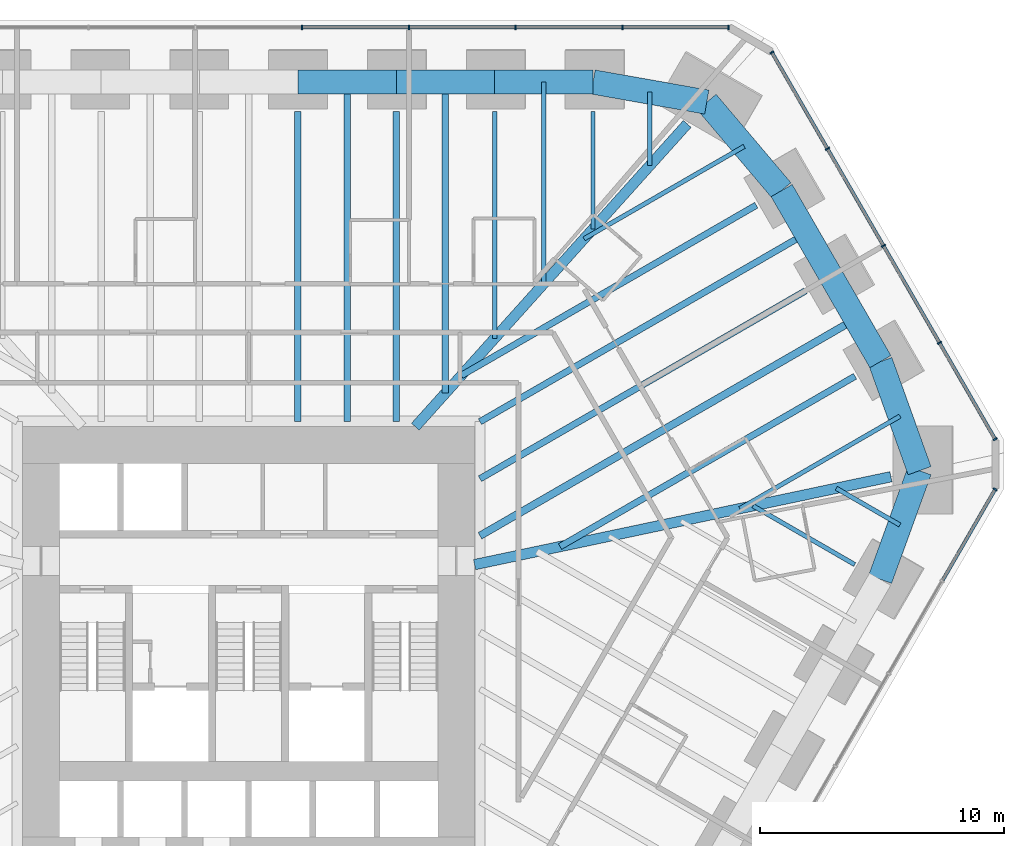
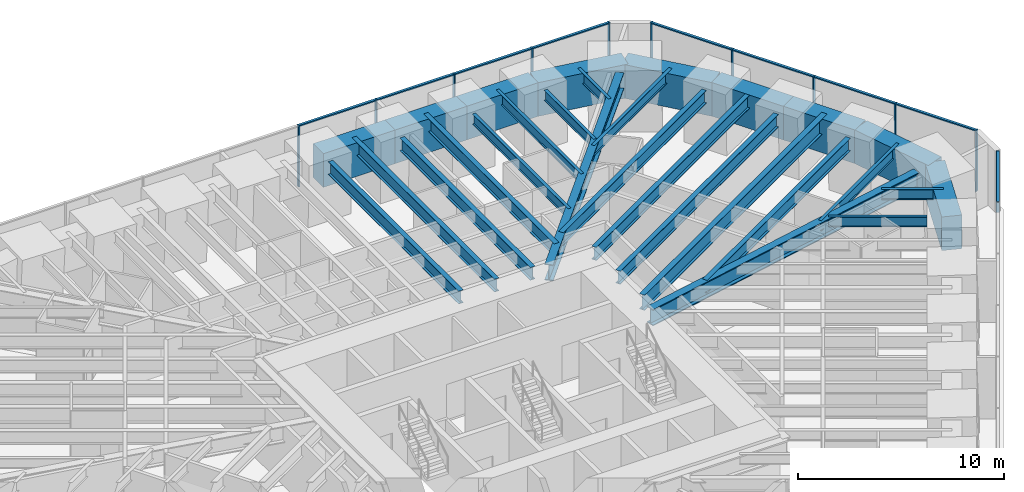
# One storey, part 9 of 17: 28 beams, 20 members, 3 elements without a shape of their own.
"""IFC4 building model written with IfcOpenShell, lengths in metres."""

from ifc_helpers import new_model, si_unit, direction, frame, origin, origin_2d, place, context, subcontext, project, spatial, rectangle, i_section, extrude, material, material_profile, profile_set, type_object, element, aggregate, save


model = new_model("IFC4")

# Units and contexts
model_context = context("Model", 3, precision=1e-05, world=origin(), true_north=direction((0.0, 1.0)))
body_context = subcontext(model_context, "Body", "Model", "MODEL_VIEW")
ifc_project = project(units=[si_unit("LENGTHUNIT", "METRE"), si_unit("AREAUNIT", "SQUARE_METRE"), si_unit("VOLUMEUNIT", "CUBIC_METRE"), si_unit("PLANEANGLEUNIT", "RADIAN"), si_unit("MASSUNIT", "GRAM", prefix="KILO")], contexts=[model_context])

# Site, building, storey
site_placement = place(None, origin())
site = spatial("IfcSite", under=ifc_project, at=site_placement, CompositionType="ELEMENT")
building_placement = place(site_placement, origin())
building = spatial("IfcBuilding", under=site, at=building_placement, Name="Sandreach Pilgrim Tower", CompositionType="ELEMENT")
storey_placement = place(building_placement, frame((0.0, 0.0, 80.0)))
storey = spatial("IfcBuildingStorey", under=building, at=storey_placement, Name="L19", CompositionType="ELEMENT", Elevation=80.0)

# Curtain wall, members
ifc_material_1 = material(Name="Aluminium framed curtain wall", Category="aluminium")
curtain_wall_type = type_object("IfcCurtainWallType", Name="Hostel tower curtain wall", PredefinedType="NOTDEFINED", material=ifc_material_1)
curtain_wall_1_placement = place(storey_placement, origin())
curtain_wall_1 = element("IfcCurtainWall", 1, at=curtain_wall_1_placement, inside=storey, type_object=curtain_wall_type, Name="CW-1 L19 N", PredefinedType="NOTDEFINED")
ifc_material_2 = material(Name="Aluminium extrusion", Category="aluminium")
ifc_material_profile_1 = material_profile(ifc_material_2, rectangle(XDim=0.06494140625, YDim=0.179931640625, at=origin_2d()), Name="CW-1M 65X180")
ifc_profile_set_1 = profile_set([ifc_material_profile_1], Name="Aluminium extrusion")
member_type_1 = type_object("IfcMemberType", Name="CW-1 mullion", PredefinedType="MULLION", material=ifc_profile_set_1)
member_1_placement = place(storey_placement, frame((2.185791015625, 23.94873046875, 0.0), z_axis=(0.0, 0.0, 1.0), x_axis=(1.0, 0.0, 0.0)))
member_1 = element("IfcMember", 2, at=member_1_placement, type_object=member_type_1, Name="CW-1 mullion 6", PredefinedType="MULLION", context=body_context, shape_type="SweptSolid", body=[
    extrude(rectangle(XDim=0.06494140625, YDim=0.179931640625, at=origin_2d()), origin(), (0.0, 0.0, 1.0), 3.639892578125),
])
member_2_placement = place(storey_placement, frame((6.557373046875, 23.94873046875, 0.0), z_axis=(0.0, 0.0, 1.0), x_axis=(1.0, 0.0, 0.0)))
member_2 = element("IfcMember", 3, at=member_2_placement, type_object=member_type_1, Name="CW-1 mullion 7", PredefinedType="MULLION", context=body_context, shape_type="SweptSolid", body=[
    extrude(rectangle(XDim=0.06494140625, YDim=0.179931640625, at=origin_2d()), origin(), (0.0, 0.0, 1.0), 3.639892578125),
])
member_3_placement = place(storey_placement, frame((10.928955078125, 23.94873046875, 0.0), z_axis=(0.0, 0.0, 1.0), x_axis=(1.0, 0.0, 0.0)))
member_3 = element("IfcMember", 4, at=member_3_placement, type_object=member_type_1, Name="CW-1 mullion 8", PredefinedType="MULLION", context=body_context, shape_type="SweptSolid", body=[
    extrude(rectangle(XDim=0.06494140625, YDim=0.179931640625, at=origin_2d()), origin(), (0.0, 0.0, 1.0), 3.639892578125),
])
member_4_placement = place(storey_placement, frame((15.300537109375, 23.94873046875, 0.0), z_axis=(0.0, 0.0, 1.0), x_axis=(1.0, 0.0, 0.0)))
member_4 = element("IfcMember", 5, at=member_4_placement, type_object=member_type_1, Name="CW-1 mullion 9", PredefinedType="MULLION", context=body_context, shape_type="SweptSolid", body=[
    extrude(rectangle(XDim=0.06494140625, YDim=0.179931640625, at=origin_2d()), origin(), (0.0, 0.0, 1.0), 3.639892578125),
])
member_5_placement = place(storey_placement, frame((19.6396484375, 23.94873046875, 0.0), z_axis=(0.0, 0.0, 1.0), x_axis=(1.0, 0.0, 0.0)))
member_5 = element("IfcMember", 6, at=member_5_placement, type_object=member_type_1, Name="CW-1 mullion 10", PredefinedType="MULLION", context=body_context, shape_type="SweptSolid", body=[
    extrude(rectangle(XDim=0.06494140625, YDim=0.179931640625, at=origin_2d()), origin(), (0.0, 0.0, 1.0), 3.639892578125),
])

curtain_wall_2_placement = place(storey_placement, origin())
curtain_wall_2 = element("IfcCurtainWall", 7, at=curtain_wall_2_placement, inside=storey, type_object=curtain_wall_type, Name="CW-1 L19 NE", PredefinedType="NOTDEFINED")
member_6_placement = place(storey_placement, frame((21.42041015625, 22.920654296875, 0.0), z_axis=(0.0, 0.0, 1.0), x_axis=(0.5, -0.866025403784, 0.0)))
member_6 = element("IfcMember", 8, at=member_6_placement, type_object=member_type_1, Name="CW-1 mullion 1", PredefinedType="MULLION", context=body_context, shape_type="SweptSolid", body=[
    extrude(rectangle(XDim=0.06494140625, YDim=0.179931640625, at=origin_2d()), origin(), (0.0, 0.0, 1.0), 3.639892578125),
])
member_7_placement = place(storey_placement, frame((23.697265625, 18.97705078125, 0.0), z_axis=(0.0, 0.0, 1.0), x_axis=(0.5, -0.866025403784, 0.0)))
member_7 = element("IfcMember", 9, at=member_7_placement, type_object=member_type_1, Name="CW-1 mullion 2", PredefinedType="MULLION", context=body_context, shape_type="SweptSolid", body=[
    extrude(rectangle(XDim=0.06494140625, YDim=0.179931640625, at=origin_2d()), origin(), (0.0, 0.0, 1.0), 3.639892578125),
])
member_8_placement = place(storey_placement, frame((25.990234375, 15.00537109375, 0.0), z_axis=(0.0, 0.0, 1.0), x_axis=(0.5, -0.866025403784, 0.0)))
member_8 = element("IfcMember", 10, at=member_8_placement, type_object=member_type_1, Name="CW-1 mullion 3", PredefinedType="MULLION", context=body_context, shape_type="SweptSolid", body=[
    extrude(rectangle(XDim=0.06494140625, YDim=0.179931640625, at=origin_2d()), origin(), (0.0, 0.0, 1.0), 3.639892578125),
])
member_9_placement = place(storey_placement, frame((28.283203125, 11.03369140625, 0.0), z_axis=(0.0, 0.0, 1.0), x_axis=(0.5, -0.866025403784, 0.0)))
member_9 = element("IfcMember", 11, at=member_9_placement, type_object=member_type_1, Name="CW-1 mullion 4", PredefinedType="MULLION", context=body_context, shape_type="SweptSolid", body=[
    extrude(rectangle(XDim=0.06494140625, YDim=0.179931640625, at=origin_2d()), origin(), (0.0, 0.0, 1.0), 3.639892578125),
])
member_10_placement = place(storey_placement, frame((30.56005859375, 7.09033203125, 0.0), z_axis=(0.0, 0.0, 1.0), x_axis=(0.5, -0.866025403784, 0.0)))
member_10 = element("IfcMember", 12, at=member_10_placement, type_object=member_type_1, Name="CW-1 mullion 5", PredefinedType="MULLION", context=body_context, shape_type="SweptSolid", body=[
    extrude(rectangle(XDim=0.06494140625, YDim=0.179931640625, at=origin_2d()), origin(), (0.0, 0.0, 1.0), 3.639892578125),
])

# Curtain wall, member
curtain_wall_3_placement = place(storey_placement, origin())
curtain_wall_3 = element("IfcCurtainWall", 13, at=curtain_wall_3_placement, inside=storey, type_object=curtain_wall_type, Name="CW-1 L19 SE", PredefinedType="NOTDEFINED")
member_11_placement = place(storey_placement, frame((30.56005859375, 5.033935546875, 0.0), z_axis=(0.0, 0.0, 1.0), x_axis=(-0.5, -0.866025403784, 0.0)))
member_11 = element("IfcMember", 14, at=member_11_placement, type_object=member_type_1, Name="CW-1 mullion 1", PredefinedType="MULLION", context=body_context, shape_type="SweptSolid", body=[
    extrude(rectangle(XDim=0.06494140625, YDim=0.179931640625, at=origin_2d()), origin(), (0.0, 0.0, 1.0), 3.639892578125),
])

# Member
ifc_material_3 = material(Name="Aluminium extrusion", Category="aluminium")
ifc_material_profile_2 = material_profile(ifc_material_3, rectangle(XDim=0.139892578125, YDim=0.070068359375, at=origin_2d()), Name="CW-1T 140X70")
ifc_profile_set_2 = profile_set([ifc_material_profile_2], Name="Aluminium extrusion")
member_type_2 = type_object("IfcMemberType", Name="CW-1 transom", PredefinedType="USERDEFINED", material=ifc_profile_set_2)
member_12_placement = place(storey_placement, frame((2.21826171875, 23.94873046875, 3.60498046875), z_axis=(1.0, 0.0, 0.0), x_axis=(0.0, 1.0, 0.0)))
member_12 = element("IfcMember", 15, at=member_12_placement, type_object=member_type_2, Name="CW-1 head transom 6", ObjectType="TRANSOM", PredefinedType="USERDEFINED", context=body_context, shape_type="SweptSolid", body=[
    extrude(rectangle(XDim=0.139892578125, YDim=0.070068359375, at=origin_2d()), origin(), (0.0, 0.0, 1.0), 4.306640625),
])

member_13_placement = place(storey_placement, frame((6.58984375, 23.94873046875, 3.60498046875), z_axis=(1.0, 0.0, 0.0), x_axis=(0.0, 1.0, 0.0)))
member_13 = element("IfcMember", 16, at=member_13_placement, type_object=member_type_2, Name="CW-1 head transom 7", ObjectType="TRANSOM", PredefinedType="USERDEFINED", context=body_context, shape_type="SweptSolid", body=[
    extrude(rectangle(XDim=0.139892578125, YDim=0.070068359375, at=origin_2d()), origin(), (0.0, 0.0, 1.0), 4.306640625),
])

member_14_placement = place(storey_placement, frame((10.96142578125, 23.94873046875, 3.60498046875), z_axis=(1.0, 0.0, 0.0), x_axis=(0.0, 1.0, 0.0)))
member_14 = element("IfcMember", 17, at=member_14_placement, type_object=member_type_2, Name="CW-1 head transom 8", ObjectType="TRANSOM", PredefinedType="USERDEFINED", context=body_context, shape_type="SweptSolid", body=[
    extrude(rectangle(XDim=0.139892578125, YDim=0.070068359375, at=origin_2d()), origin(), (0.0, 0.0, 1.0), 4.306640625),
])

member_15_placement = place(storey_placement, frame((15.3330078125, 23.94873046875, 3.60498046875), z_axis=(1.0, 0.0, 0.0), x_axis=(0.0, 1.0, 0.0)))
member_15 = element("IfcMember", 18, at=member_15_placement, type_object=member_type_2, Name="CW-1 head transom 9", ObjectType="TRANSOM", PredefinedType="USERDEFINED", context=body_context, shape_type="SweptSolid", body=[
    extrude(rectangle(XDim=0.139892578125, YDim=0.070068359375, at=origin_2d()), origin(), (0.0, 0.0, 1.0), 4.274169921875),
])

aggregate(curtain_wall_1, [member_1, member_2, member_3, member_4, member_5, member_12, member_13, member_14, member_15])

member_16_placement = place(storey_placement, frame((21.4365234375, 22.892333984375, 3.60498046875), z_axis=(0.500017500808, -0.866015299452, 0.0), x_axis=(0.866015299452, 0.500017500808, 0.0)))
member_16 = element("IfcMember", 19, at=member_16_placement, type_object=member_type_2, Name="CW-1 head transom 1", ObjectType="TRANSOM", PredefinedType="USERDEFINED", context=body_context, shape_type="SweptSolid", body=[
    extrude(rectangle(XDim=0.139892578125, YDim=0.070068359375, at=origin_2d()), origin(), (0.0, 0.0, 1.0), 4.488525390625),
])

member_17_placement = place(storey_placement, frame((23.71337890625, 18.948974609375, 3.60498046875), z_axis=(0.500001366228, -0.866024614991, 0.0), x_axis=(0.866024614991, 0.500001366228, 0.0)))
member_17 = element("IfcMember", 20, at=member_17_placement, type_object=member_type_2, Name="CW-1 head transom 2", ObjectType="TRANSOM", PredefinedType="USERDEFINED", context=body_context, shape_type="SweptSolid", body=[
    extrude(rectangle(XDim=0.139892578125, YDim=0.070068359375, at=origin_2d()), origin(), (0.0, 0.0, 1.0), 4.52099609375),
])

member_18_placement = place(storey_placement, frame((26.00634765625, 14.977294921875, 3.60498046875), z_axis=(0.500001366228, -0.866024614991, 0.0), x_axis=(0.866024614991, 0.500001366228, 0.0)))
member_18 = element("IfcMember", 21, at=member_18_placement, type_object=member_type_2, Name="CW-1 head transom 3", ObjectType="TRANSOM", PredefinedType="USERDEFINED", context=body_context, shape_type="SweptSolid", body=[
    extrude(rectangle(XDim=0.139892578125, YDim=0.070068359375, at=origin_2d()), origin(), (0.0, 0.0, 1.0), 4.52099609375),
])

member_19_placement = place(storey_placement, frame((28.299560546875, 11.005615234375, 3.60498046875), z_axis=(0.499976706761, -0.866038851724, 0.0), x_axis=(0.866038851724, 0.499976706761, 0.0)))
member_19 = element("IfcMember", 22, at=member_19_placement, type_object=member_type_2, Name="CW-1 head transom 4", ObjectType="TRANSOM", PredefinedType="USERDEFINED", context=body_context, shape_type="SweptSolid", body=[
    extrude(rectangle(XDim=0.139892578125, YDim=0.070068359375, at=origin_2d()), origin(), (0.0, 0.0, 1.0), 4.488525390625),
])

aggregate(curtain_wall_2, [member_6, member_7, member_8, member_9, member_10, member_16, member_17, member_18, member_19])

member_20_placement = place(storey_placement, frame((30.543701171875, 5.005859375, 3.60498046875), z_axis=(-0.499991113271, -0.866030534479, 0.0), x_axis=(0.866030534479, -0.499991113271, 0.0)))
member_20 = element("IfcMember", 23, at=member_20_placement, type_object=member_type_2, Name="CW-1 head transom 1", ObjectType="TRANSOM", PredefinedType="USERDEFINED", context=body_context, shape_type="SweptSolid", body=[
    extrude(rectangle(XDim=0.139892578125, YDim=0.070068359375, at=origin_2d()), origin(), (0.0, 0.0, 1.0), 4.27392578125),
])

aggregate(curtain_wall_3, [member_11, member_20])

# Beams
ifc_material_4 = material(Name="Steel ASTM A992 Grade 50", Category="steel")
ifc_material_profile_3 = material_profile(ifc_material_4, i_section(OverallWidth=0.424072265625, OverallDepth=0.965087890625, WebThickness=0.028564453125, FlangeThickness=0.051025390625, at=origin_2d()), Name="W36X361")
ifc_profile_set_3 = profile_set([ifc_material_profile_3], Name="Steel ASTM A992 Grade 50")
beam_type_1 = type_object("IfcBeamType", Name="Corner girder W36X361", PredefinedType="BEAM", material=ifc_profile_set_3)
beam_1_placement = place(storey_placement, frame((17.95361328125, 19.994140625, 3.157470703125), z_axis=(-0.668127029517, -0.744047224596, 0.0), x_axis=(0.744047224596, -0.668127029517, 0.0)))
element("IfcBeam", 24, at=beam_1_placement, inside=storey, type_object=beam_type_1, Name="BM L19 CG09", PredefinedType="BEAM", context=body_context, shape_type="SweptSolid", body=[
    extrude(i_section(OverallWidth=0.424072265625, OverallDepth=0.965087890625, WebThickness=0.028564453125, FlangeThickness=0.051025390625, at=origin_2d()), origin(), (0.0, 0.0, 1.0), 16.65771484375),
])
ifc_material_5 = material(Name="Steel ASTM A992 Grade 50", Category="steel")
ifc_material_profile_4 = material_profile(ifc_material_5, i_section(OverallWidth=0.4267578125, OverallDepth=0.975341796875, WebThickness=0.031005859375, FlangeThickness=0.055908203125, at=origin_2d()), Name="W36X395")
ifc_profile_set_4 = profile_set([ifc_material_profile_4], Name="Steel ASTM A992 Grade 50")
beam_type_2 = type_object("IfcBeamType", Name="Corner girder W36X395", PredefinedType="BEAM", material=ifc_profile_set_4)
beam_2_placement = place(storey_placement, frame((26.292236328125, 5.55126953125, 3.15234375), z_axis=(-0.978427516424, -0.206590404191, 0.0), x_axis=(0.206590404191, -0.978427516424, 0.0)))
element("IfcBeam", 25, at=beam_2_placement, inside=storey, type_object=beam_type_2, Name="BM L19 CG13", PredefinedType="BEAM", context=body_context, shape_type="SweptSolid", body=[
    extrude(i_section(OverallWidth=0.4267578125, OverallDepth=0.975341796875, WebThickness=0.031005859375, FlangeThickness=0.055908203125, at=origin_2d()), origin(), (0.0, 0.0, 1.0), 17.41796875),
])
ifc_material_6 = material(Name="Steel ASTM A992 Grade 50", Category="steel")
ifc_material_profile_5 = material_profile(ifc_material_6, i_section(OverallWidth=0.1787109375, OverallDepth=0.60205078125, WebThickness=0.010986328125, FlangeThickness=0.014892578125, at=origin_2d()), Name="W24X62")
ifc_profile_set_5 = profile_set([ifc_material_profile_5], Name="Steel ASTM A992 Grade 50")
beam_type_3 = type_object("IfcBeamType", Name="Floor beam W24X62", PredefinedType="BEAM", material=ifc_profile_set_5)
beam_3_placement = place(storey_placement, frame((10.071533203125, 20.511474609375, 3.339111328125), z_axis=(0.0, -1.0, 0.0), x_axis=(1.0, 0.0, 0.0)))
element("IfcBeam", 26, at=beam_3_placement, inside=storey, type_object=beam_type_3, Name="BM L19 F07", PredefinedType="BEAM", context=body_context, shape_type="SweptSolid", body=[
    extrude(i_section(OverallWidth=0.1787109375, OverallDepth=0.60205078125, WebThickness=0.010986328125, FlangeThickness=0.014892578125, at=origin_2d()), origin(), (0.0, 0.0, 1.0), 9.29541015625),
])
for number, where, z_axis, x_axis, name in (
    (27, (14.10009765625, 20.511474609375, 3.339111328125), (0.0, -1.0, 0.0), (1.0, 0.0, 0.0), "BM L19 F08"),
    (28, (24.8134765625, 1.955322265625, 3.339111328125), (-0.866035096217, 0.499983211839, 0.0), (-0.499983211839, -0.866035096217, 0.0), "BM L19 F14"),
):
    element("IfcBeam", number, at=place(storey_placement, frame(where, z_axis=z_axis, x_axis=x_axis)), inside=storey, type_object=beam_type_3, Name=name, PredefinedType="BEAM", context=body_context, shape_type="SweptSolid", body=[
        extrude(i_section(OverallWidth=0.1787109375, OverallDepth=0.60205078125, WebThickness=0.010986328125, FlangeThickness=0.014892578125, at=origin_2d()), origin(), (0.0, 0.0, 1.0), 4.808837890625),
    ])
beam_4_placement = place(storey_placement, frame((12.085693359375, 21.71142578125, 3.339111328125), z_axis=(0.0, -1.0, 0.0), x_axis=(1.0, 0.0, 0.0)))
element("IfcBeam", 29, at=beam_4_placement, inside=storey, type_object=beam_type_3, Name="BM L19 FM07", PredefinedType="BEAM", context=body_context, shape_type="SweptSolid", body=[
    extrude(i_section(OverallWidth=0.1787109375, OverallDepth=0.60205078125, WebThickness=0.010986328125, FlangeThickness=0.014892578125, at=origin_2d()), origin(), (0.0, 0.0, 1.0), 8.251953125),
])
beam_5_placement = place(storey_placement, frame((16.427734375, 21.29931640625, 3.339111328125), z_axis=(0.0, -1.0, 0.0), x_axis=(1.0, 0.0, 0.0)))
element("IfcBeam", 30, at=beam_5_placement, inside=storey, type_object=beam_type_3, Name="BM L19 FM08", PredefinedType="BEAM", context=body_context, shape_type="SweptSolid", body=[
    extrude(i_section(OverallWidth=0.1787109375, OverallDepth=0.60205078125, WebThickness=0.010986328125, FlangeThickness=0.014892578125, at=origin_2d()), origin(), (0.0, 0.0, 1.0), 3.00439453125),
])
beam_6_placement = place(storey_placement, frame((20.287353515625, 19.076416015625, 3.339111328125), z_axis=(-0.866026114163, -0.499998769586, 0.0), x_axis=(0.499998769586, -0.866026114163, 0.0)))
element("IfcBeam", 31, at=beam_6_placement, inside=storey, type_object=beam_type_3, Name="BM L19 FM09", PredefinedType="BEAM", context=body_context, shape_type="SweptSolid", body=[
    extrude(i_section(OverallWidth=0.1787109375, OverallDepth=0.60205078125, WebThickness=0.010986328125, FlangeThickness=0.014892578125, at=origin_2d()), origin(), (0.0, 0.0, 1.0), 7.57177734375),
])
beam_7_placement = place(storey_placement, frame((26.66455078125, 8.03125, 3.339111328125), z_axis=(-0.86602021339, -0.50000898992, 0.0), x_axis=(0.50000898992, -0.86602021339, 0.0)))
element("IfcBeam", 32, at=beam_7_placement, inside=storey, type_object=beam_type_3, Name="BM L19 FM12", PredefinedType="BEAM", context=body_context, shape_type="SweptSolid", body=[
    extrude(i_section(OverallWidth=0.1787109375, OverallDepth=0.60205078125, WebThickness=0.010986328125, FlangeThickness=0.014892578125, at=origin_2d()), origin(), (0.0, 0.0, 1.0), 7.572021484375),
])
beam_8_placement = place(storey_placement, frame((26.659423828125, 3.5771484375, 3.339111328125), z_axis=(-0.866019133895, 0.500010859609, 0.0), x_axis=(-0.500010859609, -0.866019133895, 0.0)))
element("IfcBeam", 33, at=beam_8_placement, inside=storey, type_object=beam_type_3, Name="BM L19 FM13", PredefinedType="BEAM", context=body_context, shape_type="SweptSolid", body=[
    extrude(i_section(OverallWidth=0.1787109375, OverallDepth=0.60205078125, WebThickness=0.010986328125, FlangeThickness=0.014892578125, at=origin_2d()), origin(), (0.0, 0.0, 1.0), 3.00439453125),
])
ifc_material_7 = material(Name="Steel ASTM A992 Grade 50", Category="steel")
ifc_material_profile_6 = material_profile(ifc_material_7, i_section(OverallWidth=0.2666015625, OverallDepth=0.761962890625, WebThickness=0.014404296875, FlangeThickness=0.021484375, at=origin_2d()), Name="W30X116")
ifc_profile_set_6 = profile_set([ifc_material_profile_6], Name="Steel ASTM A992 Grade 50")
beam_type_4 = type_object("IfcBeamType", Name="Floor beam W30X116", PredefinedType="BEAM", material=ifc_profile_set_6)
for number, where, z_axis, x_axis, name in (
    (34, (2.014404296875, 20.511474609375, 3.259033203125), (0.0, -1.0, 0.0), (1.0, 0.0, 0.0), "BM L19 F05"),
    (35, (6.04296875, 20.511474609375, 3.259033203125), (0.0, -1.0, 0.0), (1.0, 0.0, 0.0), "BM L19 F06"),
):
    element("IfcBeam", number, at=place(storey_placement, frame(where, z_axis=z_axis, x_axis=x_axis)), inside=storey, type_object=beam_type_4, Name=name, PredefinedType="BEAM", context=body_context, shape_type="SweptSolid", body=[
        extrude(i_section(OverallWidth=0.2666015625, OverallDepth=0.761962890625, WebThickness=0.014404296875, FlangeThickness=0.021484375, at=origin_2d()), origin(), (0.0, 0.0, 1.0), 12.689453125),
    ])
for number, where, z_axis, x_axis, name in (
    (36, (20.7802734375, 16.666015625, 3.259033203125), (-0.866017056538, -0.500014457576, 0.0), (0.500014457576, -0.866017056538, 0.0), "BM L19 F10"),
    (37, (24.8232421875, 9.663330078125, 3.259033203125), (-0.866024638156, -0.500001326105, 0.0), (0.500001326105, -0.866024638156, 0.0), "BM L19 F12"),
):
    element("IfcBeam", number, at=place(storey_placement, frame(where, z_axis=z_axis, x_axis=x_axis)), inside=storey, type_object=beam_type_4, Name=name, PredefinedType="BEAM", context=body_context, shape_type="SweptSolid", body=[
        extrude(i_section(OverallWidth=0.2666015625, OverallDepth=0.761962890625, WebThickness=0.014404296875, FlangeThickness=0.021484375, at=origin_2d()), origin(), (0.0, 0.0, 1.0), 13.94384765625),
    ])
beam_9_placement = place(storey_placement, frame((4.028564453125, 21.71142578125, 3.259033203125), z_axis=(0.0, -1.0, 0.0), x_axis=(1.0, 0.0, 0.0)))
element("IfcBeam", 38, at=beam_9_placement, inside=storey, type_object=beam_type_4, Name="BM L19 FM05", PredefinedType="BEAM", context=body_context, shape_type="SweptSolid", body=[
    extrude(i_section(OverallWidth=0.2666015625, OverallDepth=0.761962890625, WebThickness=0.014404296875, FlangeThickness=0.021484375, at=origin_2d()), origin(), (0.0, 0.0, 1.0), 13.889404296875),
])
beam_10_placement = place(storey_placement, frame((8.05712890625, 21.71142578125, 3.259033203125), z_axis=(0.0, -1.0, 0.0), x_axis=(1.0, 0.0, 0.0)))
element("IfcBeam", 39, at=beam_10_placement, inside=storey, type_object=beam_type_4, Name="BM L19 FM06", PredefinedType="BEAM", context=body_context, shape_type="SweptSolid", body=[
    extrude(i_section(OverallWidth=0.2666015625, OverallDepth=0.761962890625, WebThickness=0.014404296875, FlangeThickness=0.021484375, at=origin_2d()), origin(), (0.0, 0.0, 1.0), 12.738525390625),
])
ifc_material_8 = material(Name="Steel ASTM A992 Grade 50", Category="steel")
ifc_material_profile_7 = material_profile(ifc_material_8, i_section(OverallWidth=0.2666015625, OverallDepth=0.77978515625, WebThickness=0.0166015625, FlangeThickness=0.030029296875, at=origin_2d()), Name="W30X148")
ifc_profile_set_7 = profile_set([ifc_material_profile_7], Name="Steel ASTM A992 Grade 50")
beam_type_5 = type_object("IfcBeamType", Name="Floor beam W30X148", PredefinedType="BEAM", material=ifc_profile_set_7)
beam_11_placement = place(storey_placement, frame((22.8017578125, 13.16455078125, 3.25), z_axis=(-0.86602657139, -0.499997977643, 0.0), x_axis=(0.499997977643, -0.86602657139, 0.0)))
element("IfcBeam", 40, at=beam_11_placement, inside=storey, type_object=beam_type_5, Name="BM L19 F11", PredefinedType="BEAM", context=body_context, shape_type="SweptSolid", body=[
    extrude(i_section(OverallWidth=0.2666015625, OverallDepth=0.77978515625, WebThickness=0.0166015625, FlangeThickness=0.030029296875, at=origin_2d()), origin(), (0.0, 0.0, 1.0), 15.3916015625),
])
beam_12_placement = place(storey_placement, frame((22.830322265625, 15.515380859375, 3.25), z_axis=(-0.866023484601, -0.500003324108, 0.0), x_axis=(0.500003324108, -0.866023484601, 0.0)))
element("IfcBeam", 41, at=beam_12_placement, inside=storey, type_object=beam_type_5, Name="BM L19 FM10", PredefinedType="BEAM", context=body_context, shape_type="SweptSolid", body=[
    extrude(i_section(OverallWidth=0.2666015625, OverallDepth=0.77978515625, WebThickness=0.0166015625, FlangeThickness=0.030029296875, at=origin_2d()), origin(), (0.0, 0.0, 1.0), 15.4248046875),
])
ifc_material_9 = material(Name="Steel ASTM A992 Grade 50", Category="steel")
ifc_material_profile_8 = material_profile(ifc_material_9, i_section(OverallWidth=0.3046875, OverallDepth=0.914306640625, WebThickness=0.0166015625, FlangeThickness=0.02587890625, at=origin_2d()), Name="W36X160")
ifc_profile_set_8 = profile_set([ifc_material_profile_8], Name="Steel ASTM A992 Grade 50")
beam_type_6 = type_object("IfcBeamType", Name="Floor beam W36X160", PredefinedType="BEAM", material=ifc_profile_set_8)
beam_13_placement = place(storey_placement, frame((24.851806640625, 12.013916015625, 3.182861328125), z_axis=(-0.866026476533, -0.49999814194, 0.0), x_axis=(0.49999814194, -0.866026476533, 0.0)))
element("IfcBeam", 42, at=beam_13_placement, inside=storey, type_object=beam_type_6, Name="BM L19 FM11", PredefinedType="BEAM", context=body_context, shape_type="SweptSolid", body=[
    extrude(i_section(OverallWidth=0.3046875, OverallDepth=0.914306640625, WebThickness=0.0166015625, FlangeThickness=0.02587890625, at=origin_2d()), origin(), (0.0, 0.0, 1.0), 17.7587890625),
])
ifc_material_10 = material(Name="Concrete 10000 psi", Category="concrete")
ifc_material_profile_9 = material_profile(ifc_material_10, rectangle(XDim=1.0, YDim=2.0, at=origin_2d()), Name="RC1000X2000")
ifc_profile_set_9 = profile_set([ifc_material_profile_9], Name="Concrete 10000 psi")
beam_type_7 = type_object("IfcBeamType", Name="Spandrel beam RC1000X2000", PredefinedType="SPANDREL", material=ifc_profile_set_9)
for number, where, z_axis, x_axis, name in (
    (43, (2.014404296875, 21.71142578125, 2.639892578125), (1.0, 0.0, 0.0), (0.0, 1.0, 0.0), "BM L19 SP05"),
    (44, (6.04296875, 21.71142578125, 2.639892578125), (1.0, 0.0, 0.0), (0.0, 1.0, 0.0), "BM L19 SP06"),
    (45, (10.071533203125, 21.71142578125, 2.639892578125), (1.0, 0.0, 0.0), (0.0, 1.0, 0.0), "BM L19 SP07"),
):
    element("IfcBeam", number, at=place(storey_placement, frame(where, z_axis=z_axis, x_axis=x_axis)), inside=storey, type_object=beam_type_7, Name=name, PredefinedType="SPANDREL", context=body_context, shape_type="SweptSolid", body=[
        extrude(rectangle(XDim=1.0, YDim=2.0, at=origin_2d()), origin(), (0.0, 0.0, 1.0), 4.028564453125),
    ])
beam_14_placement = place(storey_placement, frame((14.10009765625, 21.71142578125, 2.639892578125), z_axis=(0.984676800589, -0.174389215208, 0.0), x_axis=(0.174389215208, 0.984676800589, 0.0)))
element("IfcBeam", 46, at=beam_14_placement, inside=storey, type_object=beam_type_7, Name="BM L19 SP08", PredefinedType="SPANDREL", context=body_context, shape_type="SweptSolid", body=[
    extrude(rectangle(XDim=1.0, YDim=2.0, at=origin_2d()), origin(), (0.0, 0.0, 1.0), 4.727783203125),
])
beam_15_placement = place(storey_placement, frame((18.75537109375, 20.886962890625, 2.639892578125), z_axis=(0.645967619873, -0.763364810609, 0.0), x_axis=(0.763364810609, 0.645967619873, 0.0)))
element("IfcBeam", 47, at=beam_15_placement, inside=storey, type_object=beam_type_7, Name="BM L19 SP09", PredefinedType="SPANDREL", context=body_context, shape_type="SweptSolid", body=[
    extrude(rectangle(XDim=1.0, YDim=2.0, at=origin_2d()), origin(), (0.0, 0.0, 1.0), 4.74365234375),
])
for number, where, z_axis, x_axis, name in (
    (48, (21.819580078125, 17.265869140625, 2.639892578125), (0.500009954402, -0.866019656531, 0.0), (0.866019656531, 0.500009954402, 0.0), "BM L19 SP10"),
    (49, (23.841064453125, 13.7646484375, 2.639892578125), (0.500009954402, -0.866019656531, 0.0), (0.866019656531, 0.500009954402, 0.0), "BM L19 SP11"),
):
    element("IfcBeam", number, at=place(storey_placement, frame(where, z_axis=z_axis, x_axis=x_axis)), inside=storey, type_object=beam_type_7, Name=name, PredefinedType="SPANDREL", context=body_context, shape_type="SweptSolid", body=[
        extrude(rectangle(XDim=1.0, YDim=2.0, at=origin_2d()), origin(), (0.0, 0.0, 1.0), 4.04296875),
    ])
beam_16_placement = place(storey_placement, frame((25.862548828125, 10.263427734375, 2.639892578125), z_axis=(0.338083349669, -0.941116171722, 0.0), x_axis=(0.941116171722, 0.338083349669, 0.0)))
element("IfcBeam", 50, at=beam_16_placement, inside=storey, type_object=beam_type_7, Name="BM L19 SP12", PredefinedType="SPANDREL", context=body_context, shape_type="SweptSolid", body=[
    extrude(rectangle(XDim=1.0, YDim=2.0, at=origin_2d()), origin(), (0.0, 0.0, 1.0), 4.74365234375),
])
beam_17_placement = place(storey_placement, frame((27.46630859375, 5.799072265625, 2.639892578125), z_axis=(-0.341336700366, -0.939941092294, 0.0), x_axis=(0.939941092294, -0.341336700366, 0.0)))
element("IfcBeam", 51, at=beam_17_placement, inside=storey, type_object=beam_type_7, Name="BM L19 SP13", PredefinedType="SPANDREL", context=body_context, shape_type="SweptSolid", body=[
    extrude(rectangle(XDim=1.0, YDim=2.0, at=origin_2d()), origin(), (0.0, 0.0, 1.0), 4.727783203125),
])

save(model, "model.ifc")
